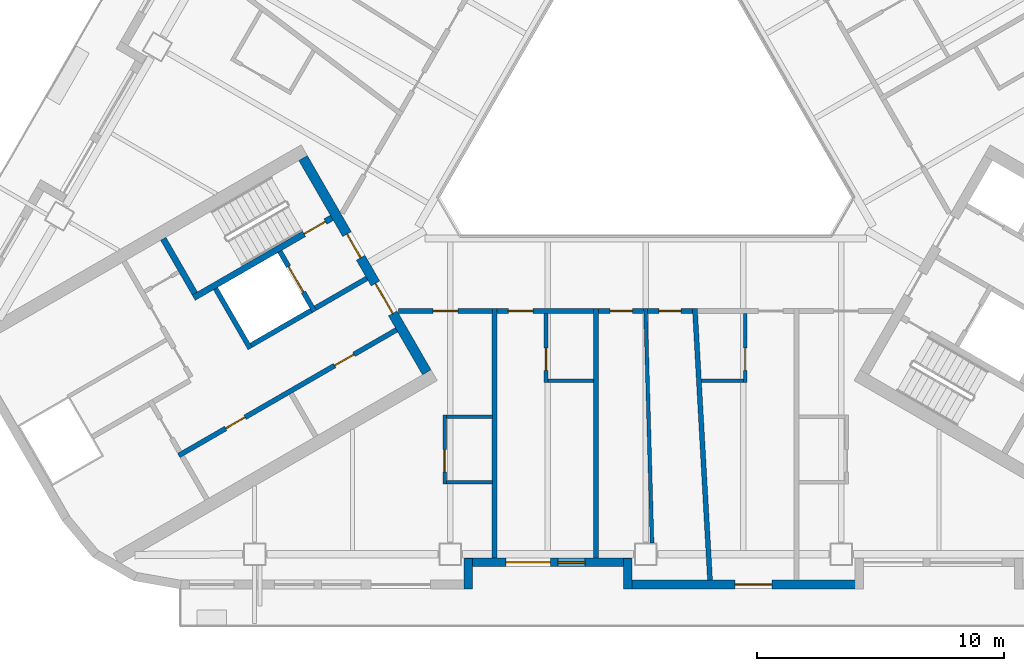
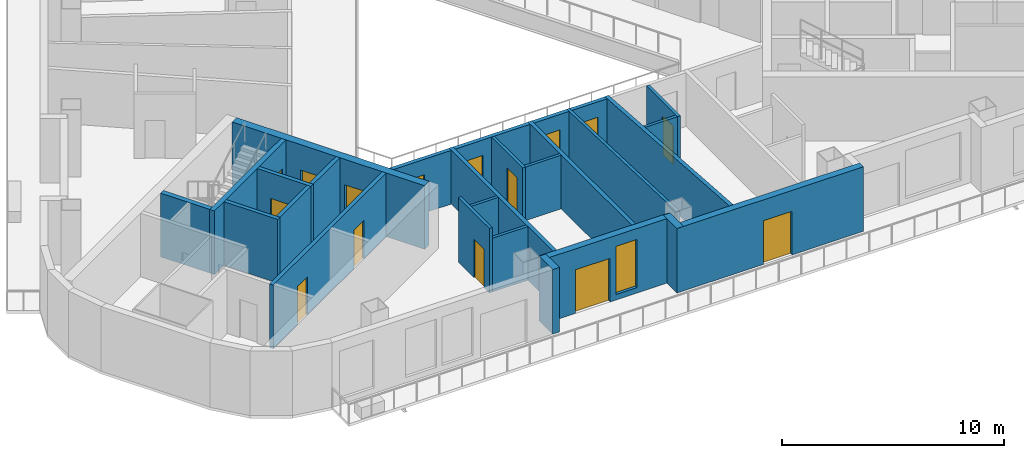
# One storey, part 3 of 14: 27 walls, 15 doors, 1 window, 16 openings.
"""IFC4 building model written with IfcOpenShell, lengths in metres."""

from ifc_helpers import new_model, si_unit, direction, frame, frame_2d, origin, place, context, subcontext, project, spatial, rectangle, extrude, material, layer, layer_set, type_object, element, fill, save


model = new_model("IFC4")

# Units and contexts
model_context = context("Model", 3, precision=1e-05, world=origin(), true_north=direction((0.0, 1.0)))
body_context = subcontext(model_context, "Body", "Model", "MODEL_VIEW")
ifc_project = project(units=[si_unit("LENGTHUNIT", "METRE"), si_unit("AREAUNIT", "SQUARE_METRE"), si_unit("VOLUMEUNIT", "CUBIC_METRE"), si_unit("PLANEANGLEUNIT", "RADIAN"), si_unit("MASSUNIT", "GRAM", prefix="KILO")], contexts=[model_context])

# Site, building, storey
site_placement = place(None, origin())
site = spatial("IfcSite", under=ifc_project, at=site_placement, CompositionType="ELEMENT")
building_placement = place(site_placement, origin())
building = spatial("IfcBuilding", under=site, at=building_placement, Name="Apuvela Tower Hotel", CompositionType="ELEMENT")
storey_placement = place(building_placement, frame((0.0, 0.0, 87.199951171875)))
storey = spatial("IfcBuildingStorey", under=building, at=storey_placement, Name="L19", CompositionType="ELEMENT", Elevation=87.199951171875)

# Wall, openings, doors
ifc_material_1 = material(Name="Concrete C50/60", Category="concrete")
ifc_layer_1 = layer(ifc_material_1, 0.39990234375)
ifc_layer_set_1 = layer_set([ifc_layer_1], Name="COR-WALL-CORE-400")
wall_type_1 = type_object("IfcWallType", Name="COR-WALL-CORE-400", PredefinedType="SHEAR", material=ifc_layer_set_1)
wall_1_placement = place(storey_placement, frame((-13.844970703125, -2.219970703125, 0.0), z_axis=(0.0, 0.0, 1.0), x_axis=(0.500004234368, -0.866022959057, 0.0)))
wall_1 = element("IfcWall", 1, at=wall_1_placement, inside=storey, type_object=wall_type_1, Name="Core wall SW", PredefinedType="SHEAR", context=body_context, shape_type="SweptSolid", body=[
    extrude(rectangle(XDim=10.0, YDim=0.39990234375, at=frame_2d((5.0, 0.0))), origin(), (0.0, 0.0, 1.0), 3.5),
])
opening_1_placement = place(wall_1_placement, frame((3.550048828125, 0.0, 0.0)))
opening_1 = element("IfcOpeningElement", 2, at=opening_1_placement, cuts=wall_1, Name="Opening W-FD", PredefinedType="OPENING", context=body_context, shape_type="SweptSolid", body=[
    extrude(rectangle(XDim=1.10009765625, YDim=2.10009765625, at=frame_2d((0.550048828125, 1.050048828125))), frame((0.0, 0.2099609375, 0.0), z_axis=(0.0, -1.0, 0.0), x_axis=(1.0, 0.0, 0.0)), (0.0, 0.0, 1.0), 0.419921875),
])
opening_2_placement = place(wall_1_placement, frame((5.85009765625, 0.0, 0.0)))
opening_2 = element("IfcOpeningElement", 3, at=opening_2_placement, cuts=wall_1, Name="Opening W-GD", PredefinedType="OPENING", context=body_context, shape_type="SweptSolid", body=[
    extrude(rectangle(XDim=1.39990234375, YDim=2.10009765625, at=frame_2d((0.699951171875, 1.050048828125))), frame((0.0, 0.2099609375, 0.0), z_axis=(0.0, -1.0, 0.0), x_axis=(1.0, 0.0, 0.0)), (0.0, 0.0, 1.0), 0.419921875),
])
ifc_material_2 = material(Name="Steel fire door, powder coated", Category="steel")
door_type_1 = type_object("IfcDoorType", Name="COR-FD-1100", OperationType="NOTDEFINED", PredefinedType="DOOR", material=ifc_material_2)
door_1_placement = place(opening_1_placement, frame((1.10009765625, 0.0, 0.0), z_axis=(0.0, 0.0, 1.0), x_axis=(-1.0, 0.0, 0.0)))
door_1 = element("IfcDoor", 4, at=door_1_placement, inside=storey, type_object=door_type_1, Name="Firefighting lobby door W-FD", OperationType="SINGLE_SWING_LEFT", OverallHeight=2.10009765625, OverallWidth=1.10009765625, PredefinedType="DOOR", context=body_context, shape_type="SweptSolid", body=[
    extrude(rectangle(XDim=1.10009765625, YDim=2.10009765625, at=frame_2d((0.550048828125, 1.050048828125))), frame((0.0, 0.02490234375, 0.0), z_axis=(0.0, -1.0, 0.0), x_axis=(1.0, 0.0, 0.0)), (0.0, 0.0, 1.0), 0.050048828125),
])
fill(opening_1, door_1)
ifc_material_3 = material(Name="Glazed steel fire door", Category="steel")
door_type_2 = type_object("IfcDoorType", Name="COR-GD-1400", OperationType="DOUBLE_DOOR_SINGLE_SWING", PredefinedType="DOOR", material=ifc_material_3)
door_2_placement = place(opening_2_placement, frame((1.39990234375, 0.0, 0.0), z_axis=(0.0, 0.0, 1.0), x_axis=(-1.0, 0.0, 0.0)))
door_2 = element("IfcDoor", 5, at=door_2_placement, inside=storey, type_object=door_type_2, Name="Lift lobby door W-GD", OperationType="DOUBLE_DOOR_SINGLE_SWING", OverallHeight=2.10009765625, OverallWidth=1.39990234375, PredefinedType="DOOR", context=body_context, shape_type="SweptSolid", body=[
    extrude(rectangle(XDim=1.39990234375, YDim=2.10009765625, at=frame_2d((0.699951171875, 1.050048828125))), frame((0.0, 0.02490234375, 0.0), z_axis=(0.0, -1.0, 0.0), x_axis=(1.0, 0.0, 0.0)), (0.0, 0.0, 1.0), 0.050048828125),
])
fill(opening_2, door_2)

# Wall
ifc_layer_2 = layer(ifc_material_1, 0.199951171875)
ifc_layer_set_2 = layer_set([ifc_layer_2], Name="COR-WALL-SHAFT-200")
wall_type_2 = type_object("IfcWallType", Name="COR-WALL-SHAFT-200", PredefinedType="SHEAR", material=ifc_layer_set_2)
wall_2_placement = place(storey_placement, frame((-17.38134765625, -7.49462890625, 0.0), z_axis=(0.0, 0.0, 1.0), x_axis=(0.500011755427, -0.866018616679, 0.0)))
element("IfcWall", 6, at=wall_2_placement, inside=storey, type_object=wall_type_2, Name="Shaft wall SW", PredefinedType="SHEAR", context=body_context, shape_type="SweptSolid", body=[
    extrude(rectangle(XDim=2.80029296875, YDim=0.199951171875, at=frame_2d((1.400146484375, 0.0))), origin(), (0.0, 0.0, 1.0), 3.5),
])

# Wall, opening, door
wall_3_placement = place(storey_placement, frame((-14.783203125, -5.99462890625, 0.0), z_axis=(0.0, 0.0, 1.0), x_axis=(0.49994636267, -0.866056369097, 0.0)))
wall_3 = element("IfcWall", 7, at=wall_3_placement, inside=storey, type_object=wall_type_2, Name="Shaft wall SW", PredefinedType="SHEAR", context=body_context, shape_type="SweptSolid", body=[
    extrude(rectangle(XDim=2.800048828125, YDim=0.199951171875, at=frame_2d((1.39990234375, 0.0))), origin(), (0.0, 0.0, 1.0), 3.5),
])
opening_3_placement = place(wall_3_placement, frame((0.699951171875, 0.0, 0.0)))
opening_3 = element("IfcOpeningElement", 8, at=opening_3_placement, cuts=wall_3, Name="Opening W-LD-FS2", PredefinedType="OPENING", context=body_context, shape_type="SweptSolid", body=[
    extrude(rectangle(XDim=1.199951171875, YDim=2.10009765625, at=frame_2d((0.60009765625, 1.050048828125))), frame((0.0, 0.10986328125, 0.0), z_axis=(0.0, -1.0, 0.0), x_axis=(1.0, 0.0, 0.0)), (0.0, 0.0, 1.0), 0.219970703125),
])
ifc_material_4 = material(Name="Stainless steel lift landing door", Category="steel")
door_type_3 = type_object("IfcDoorType", Name="COR-LD-1200", OperationType="DOUBLE_DOOR_SLIDING", PredefinedType="DOOR", material=ifc_material_4)
door_3_placement = place(opening_3_placement, origin())
door_3 = element("IfcDoor", 9, at=door_3_placement, inside=storey, type_object=door_type_3, Name="Lift landing door W-LD-FS2", OperationType="DOUBLE_DOOR_SLIDING", OverallHeight=2.10009765625, OverallWidth=1.199951171875, PredefinedType="DOOR", context=body_context, shape_type="SweptSolid", body=[
    extrude(rectangle(XDim=1.199951171875, YDim=2.10009765625, at=frame_2d((0.60009765625, 1.050048828125))), frame((0.0, 0.02490234375, 0.0), z_axis=(0.0, -1.0, 0.0), x_axis=(1.0, 0.0, 0.0)), (0.0, 0.0, 1.0), 0.050048828125),
])
fill(opening_3, door_3)

# Walls
wall_4_placement = place(storey_placement, frame((-13.519775390625, -8.383056640625, 0.0), z_axis=(0.0, 0.0, 1.0), x_axis=(-0.866034573852, -0.49998411664, 0.0)))
element("IfcWall", 10, at=wall_4_placement, inside=storey, type_object=wall_type_2, Name="Shaft wall SW", PredefinedType="SHEAR", context=body_context, shape_type="SweptSolid", body=[
    extrude(rectangle(XDim=2.7998046875, YDim=0.199951171875, at=frame_2d((1.39990234375, 0.0))), origin(), (0.0, 0.0, 1.0), 3.5),
])
wall_5_placement = place(storey_placement, frame((-11.26806640625, -7.0830078125, 0.0), z_axis=(0.0, 0.0, 1.0), x_axis=(-0.866050077142, -0.499957262057, 0.0)))
element("IfcWall", 11, at=wall_5_placement, inside=storey, type_object=wall_type_2, Name="Shaft wall SW", PredefinedType="SHEAR", context=body_context, shape_type="SweptSolid", body=[
    extrude(rectangle(XDim=2.400146484375, YDim=0.199951171875, at=frame_2d((1.2001953125, 0.0))), origin(), (0.0, 0.0, 1.0), 3.5),
])

# Wall, openings, doors
wall_6_placement = place(storey_placement, frame((-10.068115234375, -9.16162109375, 0.0), z_axis=(0.0, 0.0, 1.0), x_axis=(-0.866032725843, -0.499987317609, 0.0)))
wall_6 = element("IfcWall", 12, at=wall_6_placement, inside=storey, type_object=wall_type_2, Name="Shaft wall SW", PredefinedType="SHEAR", context=body_context, shape_type="SweptSolid", body=[
    extrude(rectangle(XDim=10.159912109375, YDim=0.199951171875, at=frame_2d((5.080078125, 0.0))), origin(), (0.0, 0.0, 1.0), 3.5),
])
opening_4_placement = place(wall_6_placement, frame((1.989990234375, 0.0, 0.0)))
opening_4 = element("IfcOpeningElement", 13, at=opening_4_placement, cuts=wall_6, Name="Opening W-RE1", PredefinedType="OPENING", context=body_context, shape_type="SweptSolid", body=[
    extrude(rectangle(XDim=0.89990234375, YDim=2.10009765625, at=frame_2d((0.449951171875, 1.050048828125))), frame((0.0, 0.10986328125, 0.0), z_axis=(0.0, -1.0, 0.0), x_axis=(1.0, 0.0, 0.0)), (0.0, 0.0, 1.0), 0.219970703125),
])
opening_5_placement = place(wall_6_placement, frame((7.070068359375, 0.0, 0.0)))
opening_5 = element("IfcOpeningElement", 14, at=opening_5_placement, cuts=wall_6, Name="Opening W-RE3", PredefinedType="OPENING", context=body_context, shape_type="SweptSolid", body=[
    extrude(rectangle(XDim=0.89990234375, YDim=2.10009765625, at=frame_2d((0.449951171875, 1.050048828125))), frame((0.0, 0.10986328125, 0.0), z_axis=(0.0, -1.0, 0.0), x_axis=(1.0, 0.0, 0.0)), (0.0, 0.0, 1.0), 0.219970703125),
])
door_type_4 = type_object("IfcDoorType", Name="COR-DR-900", OperationType="NOTDEFINED", PredefinedType="DOOR", material=ifc_material_2)
door_4_placement = place(opening_4_placement, origin())
door_4 = element("IfcDoor", 15, at=door_4_placement, inside=storey, type_object=door_type_4, Name="Store door W-RE1", OperationType="SINGLE_SWING_LEFT", OverallHeight=2.10009765625, OverallWidth=0.89990234375, PredefinedType="DOOR", context=body_context, shape_type="SweptSolid", body=[
    extrude(rectangle(XDim=0.89990234375, YDim=2.10009765625, at=frame_2d((0.449951171875, 1.050048828125))), frame((0.0, 0.02490234375, 0.0), z_axis=(0.0, -1.0, 0.0), x_axis=(1.0, 0.0, 0.0)), (0.0, 0.0, 1.0), 0.050048828125),
])
fill(opening_4, door_4)
door_5_placement = place(opening_5_placement, origin())
door_5 = element("IfcDoor", 16, at=door_5_placement, inside=storey, type_object=door_type_4, Name="Store door W-RE3", OperationType="SINGLE_SWING_LEFT", OverallHeight=2.10009765625, OverallWidth=0.89990234375, PredefinedType="DOOR", context=body_context, shape_type="SweptSolid", body=[
    extrude(rectangle(XDim=0.89990234375, YDim=2.10009765625, at=frame_2d((0.449951171875, 1.050048828125))), frame((0.0, 0.02490234375, 0.0), z_axis=(0.0, -1.0, 0.0), x_axis=(1.0, 0.0, 0.0)), (0.0, 0.0, 1.0), 0.050048828125),
])
fill(opening_5, door_5)

# Wall, opening, door
ifc_layer_3 = layer(ifc_material_1, 0.25)
ifc_layer_set_3 = layer_set([ifc_layer_3], Name="COR-WALL-STAIR-250")
wall_type_3 = type_object("IfcWallType", Name="COR-WALL-STAIR-250", PredefinedType="SHEAR", material=ifc_layer_set_3)
wall_7_placement = place(storey_placement, frame((-12.6806640625, -4.636474609375, 0.0), z_axis=(0.0, 0.0, 1.0), x_axis=(-0.866021702275, -0.500006411147, 0.0)))
wall_7 = element("IfcWall", 17, at=wall_7_placement, inside=storey, type_object=wall_type_3, Name="Stair wall SW", PredefinedType="SHEAR", context=body_context, shape_type="SweptSolid", body=[
    extrude(rectangle(XDim=6.4501953125, YDim=0.25, at=frame_2d((3.22509765625, 0.0))), origin(), (0.0, 0.0, 1.0), 3.5),
])
opening_6_placement = place(wall_7_placement, frame((0.300048828125, 0.0, 0.0)))
opening_6 = element("IfcOpeningElement", 18, at=opening_6_placement, cuts=wall_7, Name="Opening W-SD", PredefinedType="OPENING", context=body_context, shape_type="SweptSolid", body=[
    extrude(rectangle(XDim=1.0, YDim=2.10009765625, at=frame_2d((0.5, 1.050048828125))), frame((0.0, 0.135009765625, 0.0), z_axis=(0.0, -1.0, 0.0), x_axis=(1.0, 0.0, 0.0)), (0.0, 0.0, 1.0), 0.27001953125),
])
door_type_5 = type_object("IfcDoorType", Name="COR-SD-1000", OperationType="NOTDEFINED", PredefinedType="DOOR", material=ifc_material_2)
door_6_placement = place(opening_6_placement, frame((1.0, 0.0, 0.0), z_axis=(0.0, 0.0, 1.0), x_axis=(-1.0, 0.0, 0.0)))
door_6 = element("IfcDoor", 19, at=door_6_placement, inside=storey, type_object=door_type_5, Name="Stair door W-SD", OperationType="SINGLE_SWING_LEFT", OverallHeight=2.10009765625, OverallWidth=1.0, PredefinedType="DOOR", context=body_context, shape_type="SweptSolid", body=[
    extrude(rectangle(XDim=1.0, YDim=2.10009765625, at=frame_2d((0.5, 1.050048828125))), frame((0.0, 0.02490234375, 0.0), z_axis=(0.0, -1.0, 0.0), x_axis=(1.0, 0.0, 0.0)), (0.0, 0.0, 1.0), 0.050048828125),
])
fill(opening_6, door_6)

# Walls
wall_8_placement = place(storey_placement, frame((-19.49560546875, -5.482421875, 0.0), z_axis=(0.0, 0.0, 1.0), x_axis=(0.499990435942, -0.866030925526, 0.0)))
element("IfcWall", 20, at=wall_8_placement, inside=storey, type_object=wall_type_3, Name="Stair wall SW", PredefinedType="SHEAR", context=body_context, shape_type="SweptSolid", body=[
    extrude(rectangle(XDim=2.5498046875, YDim=0.25, at=frame_2d((1.27490234375, 0.0))), origin(), (0.0, 0.0, 1.0), 3.5),
])
ifc_material_5 = material(Name="Concrete C40/50, dark pigmented precast panel", Category="concrete")
ifc_layer_4 = layer(ifc_material_5, 0.35009765625)
ifc_layer_set_4 = layer_set([ifc_layer_4], Name="ENV-WALL-350")
wall_type_4 = type_object("IfcWallType", Name="ENV-WALL-350", PredefinedType="SOLIDWALL", material=ifc_layer_set_4)
wall_9_placement = place(storey_placement, frame((-7.175048828125, -19.6298828125, 0.0), z_axis=(0.0, 0.0, 1.0), x_axis=(0.0, 1.0, 0.0)))
element("IfcWall", 21, at=wall_9_placement, inside=storey, type_object=wall_type_4, Name="External wall L19-18", PredefinedType="SOLIDWALL", context=body_context, shape_type="SweptSolid", body=[
    extrude(rectangle(XDim=1.219970703125, YDim=0.35009765625, at=frame_2d((0.60986328125, 0.0))), origin(), (0.0, 0.0, 1.0), 3.550048828125),
])

# Wall, openings, door, window
wall_10_placement = place(storey_placement, frame((-7.320068359375, -18.554931640625, 0.0), z_axis=(0.0, 0.0, 1.0), x_axis=(1.0, 0.0, 0.0)))
wall_10 = element("IfcWall", 22, at=wall_10_placement, inside=storey, type_object=wall_type_4, Name="External wall L19-19", PredefinedType="SOLIDWALL", context=body_context, shape_type="SweptSolid", body=[
    extrude(rectangle(XDim=6.739990234375, YDim=0.35009765625, at=frame_2d((3.3701171875, 0.0))), origin(), (0.0, 0.0, 1.0), 3.550048828125),
])
opening_7_placement = place(wall_10_placement, frame((1.669921875, 0.0, 0.0)))
opening_7 = element("IfcOpeningElement", 23, at=opening_7_placement, cuts=wall_10, Name="Opening BD18", PredefinedType="OPENING", context=body_context, shape_type="SweptSolid", body=[
    extrude(rectangle(XDim=1.800048828125, YDim=2.39990234375, at=frame_2d((0.89990234375, 1.199951171875))), frame((0.0, 0.18505859375, 0.0), z_axis=(0.0, -1.0, 0.0), x_axis=(1.0, 0.0, 0.0)), (0.0, 0.0, 1.0), 0.3701171875),
])
opening_8_placement = place(wall_10_placement, frame((3.77001953125, 0.0, 0.300048828125)))
opening_8 = element("IfcOpeningElement", 24, at=opening_8_placement, cuts=wall_10, Name="Opening WN11", PredefinedType="OPENING", context=body_context, shape_type="SweptSolid", body=[
    extrude(rectangle(XDim=1.10009765625, YDim=2.64990234375, at=frame_2d((0.550048828125, 1.324951171875))), frame((0.0, 0.18505859375, 0.0), z_axis=(0.0, -1.0, 0.0), x_axis=(1.0, 0.0, 0.0)), (0.0, 0.0, 1.0), 0.3701171875),
])
ifc_material_6 = material(Name="Aluminium 6063-T6, dark bronze anodised frame with dark tinted laminated glass", Category="aluminium")
door_type_6 = type_object("IfcDoorType", Name="ENV-DOOR-BALCONY-1800x2400", OperationType="SLIDING_TO_LEFT", PredefinedType="DOOR", material=ifc_material_6)
door_7_placement = place(opening_7_placement, frame((1.800048828125, 0.0, 0.0), z_axis=(0.0, 0.0, 1.0), x_axis=(-1.0, 0.0, 0.0)))
door_7 = element("IfcDoor", 25, at=door_7_placement, inside=storey, type_object=door_type_6, Name="Balcony door BD18", OperationType="SLIDING_TO_LEFT", OverallHeight=2.39990234375, OverallWidth=1.800048828125, PredefinedType="DOOR", context=body_context, shape_type="SweptSolid", body=[
    extrude(rectangle(XDim=1.800048828125, YDim=2.39990234375, at=frame_2d((0.89990234375, 1.199951171875))), frame((0.0, 0.02490234375, 0.0), z_axis=(0.0, -1.0, 0.0), x_axis=(1.0, 0.0, 0.0)), (0.0, 0.0, 1.0), 0.050048828125),
])
fill(opening_7, door_7)
ifc_material_7 = material(Name="Glass, dark tinted laminated insulated glazing unit", Category="glass")
window_type = type_object("IfcWindowType", Name="ENV-WIN-1100x2650", PartitioningType="SINGLE_PANEL", PredefinedType="WINDOW", material=ifc_material_7)
window_placement = place(opening_8_placement, origin())
window = element("IfcWindow", 26, at=window_placement, inside=storey, type_object=window_type, Name="Window WN11", OverallHeight=2.64990234375, OverallWidth=1.10009765625, PartitioningType="SINGLE_PANEL", PredefinedType="WINDOW", context=body_context, shape_type="SweptSolid", body=[
    extrude(rectangle(XDim=1.10009765625, YDim=2.64990234375, at=frame_2d((0.550048828125, 1.324951171875))), frame((0.0, 0.030029296875, 0.0), z_axis=(0.0, -1.0, 0.0), x_axis=(1.0, 0.0, 0.0)), (0.0, 0.0, 1.0), 0.06005859375),
])
fill(opening_8, window)

# Wall
wall_11_placement = place(storey_placement, frame((-0.72509765625, -18.409912109375, 0.0), z_axis=(0.0, 0.0, 1.0), x_axis=(0.0, -1.0, 0.0)))
element("IfcWall", 27, at=wall_11_placement, inside=storey, type_object=wall_type_4, Name="External wall L19-20", PredefinedType="SOLIDWALL", context=body_context, shape_type="SweptSolid", body=[
    extrude(rectangle(XDim=1.219970703125, YDim=0.35009765625, at=frame_2d((0.60986328125, 0.0))), origin(), (0.0, 0.0, 1.0), 3.550048828125),
])

# Wall, opening, door
wall_12_placement = place(storey_placement, frame((-0.89990234375, -19.455078125, 0.0), z_axis=(0.0, 0.0, 1.0), x_axis=(1.0, 0.0, 0.0)))
wall_12 = element("IfcWall", 28, at=wall_12_placement, inside=storey, type_object=wall_type_4, Name="External wall L19-21", PredefinedType="SOLIDWALL", context=body_context, shape_type="SweptSolid", body=[
    extrude(rectangle(XDim=9.699951171875, YDim=0.35009765625, at=frame_2d((4.85009765625, 0.0))), origin(), (0.0, 0.0, 1.0), 3.550048828125),
])
opening_9_placement = place(wall_12_placement, frame((4.5, 0.0, 0.0)))
opening_9 = element("IfcOpeningElement", 29, at=opening_9_placement, cuts=wall_12, Name="Opening BD15", PredefinedType="OPENING", context=body_context, shape_type="SweptSolid", body=[
    extrude(rectangle(XDim=1.5, YDim=2.39990234375, at=frame_2d((0.75, 1.199951171875))), frame((0.0, 0.18505859375, 0.0), z_axis=(0.0, -1.0, 0.0), x_axis=(1.0, 0.0, 0.0)), (0.0, 0.0, 1.0), 0.3701171875),
])
door_type_7 = type_object("IfcDoorType", Name="ENV-DOOR-BALCONY-1500x2400", OperationType="SLIDING_TO_LEFT", PredefinedType="DOOR", material=ifc_material_6)
door_8_placement = place(opening_9_placement, frame((1.5, 0.0, 0.0), z_axis=(0.0, 0.0, 1.0), x_axis=(-1.0, 0.0, 0.0)))
door_8 = element("IfcDoor", 30, at=door_8_placement, inside=storey, type_object=door_type_7, Name="Balcony door BD15", OperationType="SLIDING_TO_LEFT", OverallHeight=2.39990234375, OverallWidth=1.5, PredefinedType="DOOR", context=body_context, shape_type="SweptSolid", body=[
    extrude(rectangle(XDim=1.5, YDim=2.39990234375, at=frame_2d((0.75, 1.199951171875))), frame((0.0, 0.02490234375, 0.0), z_axis=(0.0, -1.0, 0.0), x_axis=(1.0, 0.0, 0.0)), (0.0, 0.0, 1.0), 0.050048828125),
])
fill(opening_9, door_8)

# Walls
ifc_material_8 = material(Name="Gypsum board partition on twin steel stud", Category="steel")
ifc_layer_5 = layer(ifc_material_8, 0.199951171875)
ifc_layer_set_5 = layer_set([ifc_layer_5], Name="GST-PW1")
wall_type_5 = type_object("IfcWallType", Name="GST-PW1", PredefinedType="PARTITIONING", material=ifc_layer_set_5)
for number, where, z_axis, x_axis, name in (
    (31, (-6.10009765625, -18.3798828125, 0.0), (0.0, 0.0, 1.0), (0.0, 1.0, 0.0), "L19 partition 01"),
    (32, (-2.0, -18.3798828125, 0.0), (0.0, 0.0, 1.0), (0.0, 1.0, 0.0), "L19 partition 02"),
):
    element("IfcWall", number, at=place(storey_placement, frame(where, z_axis=z_axis, x_axis=x_axis)), inside=storey, type_object=wall_type_5, Name=name, PredefinedType="PARTITIONING", context=body_context, shape_type="SweptSolid", body=[
        extrude(rectangle(XDim=10.079833984375, YDim=0.199951171875, at=frame_2d((5.0400390625, 0.0))), origin(), (0.0, 0.0, 1.0), 2.9599609375),
    ])
wall_13_placement = place(storey_placement, frame((2.60009765625, -19.280029296875, 0.0), z_axis=(0.0, 0.0, 1.0), x_axis=(-0.055568385591, 0.998454883569, 0.0)))
element("IfcWall", 33, at=wall_13_placement, inside=storey, type_object=wall_type_5, Name="L19 partition 03", PredefinedType="PARTITIONING", context=body_context, shape_type="SweptSolid", body=[
    extrude(rectangle(XDim=10.9970703125, YDim=0.199951171875, at=frame_2d((5.49853515625, 0.0))), origin(), (0.0, 0.0, 1.0), 2.9599609375),
])

# Wall, opening, door
ifc_material_9 = material(Name="Gypsum board corridor wall on twin steel stud, acoustic", Category="steel")
ifc_layer_6 = layer(ifc_material_9, 0.199951171875)
ifc_layer_set_6 = layer_set([ifc_layer_6], Name="GST-PW2")
wall_type_6 = type_object("IfcWallType", Name="GST-PW2", PredefinedType="PARTITIONING", material=ifc_layer_set_6)
wall_14_placement = place(storey_placement, frame((-6.199951171875, -8.39990234375, 0.0), z_axis=(0.0, 0.0, 1.0), x_axis=(-1.0, 0.0, 0.0)))
wall_14 = element("IfcWall", 34, at=wall_14_placement, inside=storey, type_object=wall_type_6, Name="L19 partition 11", PredefinedType="PARTITIONING", context=body_context, shape_type="SweptSolid", body=[
    extrude(rectangle(XDim=3.788330078125, YDim=0.199951171875, at=frame_2d((1.89404296875, 0.0))), origin(), (0.0, 0.0, 1.0), 2.949951171875),
])
opening_10_placement = place(wall_14_placement, frame((1.39404296875, 0.0, 0.0)))
opening_10 = element("IfcOpeningElement", 35, at=opening_10_placement, cuts=wall_14, Name="Opening GD06-02", PredefinedType="OPENING", context=body_context, shape_type="SweptSolid", body=[
    extrude(rectangle(XDim=1.0, YDim=2.10009765625, at=frame_2d((0.5, 1.050048828125))), frame((0.0, 0.10986328125, 0.0), z_axis=(0.0, -1.0, 0.0), x_axis=(1.0, 0.0, 0.0)), (0.0, 0.0, 1.0), 0.219970703125),
])
ifc_material_10 = material(Name="Timber door leaf in steel frame", Category="steel")
door_type_8 = type_object("IfcDoorType", Name="GST-D1", OperationType="NOTDEFINED", PredefinedType="DOOR", material=ifc_material_10)
door_9_placement = place(opening_10_placement, origin())
door_9 = element("IfcDoor", 36, at=door_9_placement, inside=storey, type_object=door_type_8, Name="Door L19-02", OperationType="SINGLE_SWING_LEFT", OverallHeight=2.10009765625, OverallWidth=1.0, PredefinedType="DOOR", context=body_context, shape_type="SweptSolid", body=[
    extrude(rectangle(XDim=1.0, YDim=2.10009765625, at=frame_2d((0.5, 1.050048828125))), frame((0.0, 0.02490234375, 0.0), z_axis=(0.0, -1.0, 0.0), x_axis=(1.0, 0.0, 0.0)), (0.0, 0.0, 1.0), 0.050048828125),
])
fill(opening_10, door_9)

wall_15_placement = place(storey_placement, frame((-2.10009765625, -8.39990234375, 0.0), z_axis=(0.0, 0.0, 1.0), x_axis=(-1.0, 0.0, 0.0)))
wall_15 = element("IfcWall", 37, at=wall_15_placement, inside=storey, type_object=wall_type_6, Name="L19 partition 15", PredefinedType="PARTITIONING", context=body_context, shape_type="SweptSolid", body=[
    extrude(rectangle(XDim=3.89990234375, YDim=0.199951171875, at=frame_2d((1.949951171875, 0.0))), origin(), (0.0, 0.0, 1.0), 2.949951171875),
])
opening_11_placement = place(wall_15_placement, frame((2.449951171875, 0.0, 0.0)))
opening_11 = element("IfcOpeningElement", 38, at=opening_11_placement, cuts=wall_15, Name="Opening GD06-04", PredefinedType="OPENING", context=body_context, shape_type="SweptSolid", body=[
    extrude(rectangle(XDim=1.0, YDim=2.10009765625, at=frame_2d((0.5, 1.050048828125))), frame((0.0, 0.10986328125, 0.0), z_axis=(0.0, -1.0, 0.0), x_axis=(1.0, 0.0, 0.0)), (0.0, 0.0, 1.0), 0.219970703125),
])
door_10_placement = place(opening_11_placement, origin())
door_10 = element("IfcDoor", 39, at=door_10_placement, inside=storey, type_object=door_type_8, Name="Door L19-04", OperationType="SINGLE_SWING_RIGHT", OverallHeight=2.10009765625, OverallWidth=1.0, PredefinedType="DOOR", context=body_context, shape_type="SweptSolid", body=[
    extrude(rectangle(XDim=1.0, YDim=2.10009765625, at=frame_2d((0.5, 1.050048828125))), frame((0.0, 0.02490234375, 0.0), z_axis=(0.0, -1.0, 0.0), x_axis=(1.0, 0.0, 0.0)), (0.0, 0.0, 1.0), 0.050048828125),
])
fill(opening_11, door_10)

wall_16_placement = place(storey_placement, frame((-0.077880859375, -8.39990234375, 0.0), z_axis=(0.0, 0.0, 1.0), x_axis=(-1.0, 0.0, 0.0)))
wall_16 = element("IfcWall", 40, at=wall_16_placement, inside=storey, type_object=wall_type_6, Name="L19 partition 19", PredefinedType="PARTITIONING", context=body_context, shape_type="SweptSolid", body=[
    extrude(rectangle(XDim=1.822021484375, YDim=0.199951171875, at=frame_2d((0.9111328125, 0.0))), origin(), (0.0, 0.0, 1.0), 2.949951171875),
])
opening_12_placement = place(wall_16_placement, frame((0.461181640625, 0.0, 0.0)))
opening_12 = element("IfcOpeningElement", 41, at=opening_12_placement, cuts=wall_16, Name="Opening GD06-05", PredefinedType="OPENING", context=body_context, shape_type="SweptSolid", body=[
    extrude(rectangle(XDim=0.89990234375, YDim=2.10009765625, at=frame_2d((0.449951171875, 1.050048828125))), frame((0.0, 0.10986328125, 0.0), z_axis=(0.0, -1.0, 0.0), x_axis=(1.0, 0.0, 0.0)), (0.0, 0.0, 1.0), 0.219970703125),
])
door_type_9 = type_object("IfcDoorType", Name="GST-D2", OperationType="NOTDEFINED", PredefinedType="DOOR", material=ifc_material_10)
door_11_placement = place(opening_12_placement, origin())
door_11 = element("IfcDoor", 42, at=door_11_placement, inside=storey, type_object=door_type_9, Name="Door L19-05", OperationType="SINGLE_SWING_LEFT", OverallHeight=2.10009765625, OverallWidth=0.89990234375, PredefinedType="DOOR", context=body_context, shape_type="SweptSolid", body=[
    extrude(rectangle(XDim=0.89990234375, YDim=2.10009765625, at=frame_2d((0.449951171875, 1.050048828125))), frame((0.0, 0.02490234375, 0.0), z_axis=(0.0, -1.0, 0.0), x_axis=(1.0, 0.0, 0.0)), (0.0, 0.0, 1.0), 0.050048828125),
])
fill(opening_12, door_11)

wall_17_placement = place(storey_placement, frame((1.894287109375, -8.39990234375, 0.0), z_axis=(0.0, 0.0, 1.0), x_axis=(-1.0, 0.0, 0.0)))
wall_17 = element("IfcWall", 43, at=wall_17_placement, inside=storey, type_object=wall_type_6, Name="L19 partition 20", PredefinedType="PARTITIONING", context=body_context, shape_type="SweptSolid", body=[
    extrude(rectangle(XDim=1.822021484375, YDim=0.199951171875, at=frame_2d((0.9111328125, 0.0))), origin(), (0.0, 0.0, 1.0), 2.949951171875),
])
opening_13_placement = place(wall_17_placement, frame((0.461181640625, 0.0, 0.0)))
opening_13 = element("IfcOpeningElement", 44, at=opening_13_placement, cuts=wall_17, Name="Opening GD06-06", PredefinedType="OPENING", context=body_context, shape_type="SweptSolid", body=[
    extrude(rectangle(XDim=0.89990234375, YDim=2.10009765625, at=frame_2d((0.449951171875, 1.050048828125))), frame((0.0, 0.10986328125, 0.0), z_axis=(0.0, -1.0, 0.0), x_axis=(1.0, 0.0, 0.0)), (0.0, 0.0, 1.0), 0.219970703125),
])
door_12_placement = place(opening_13_placement, origin())
door_12 = element("IfcDoor", 45, at=door_12_placement, inside=storey, type_object=door_type_9, Name="Door L19-06", OperationType="SINGLE_SWING_RIGHT", OverallHeight=2.10009765625, OverallWidth=0.89990234375, PredefinedType="DOOR", context=body_context, shape_type="SweptSolid", body=[
    extrude(rectangle(XDim=0.89990234375, YDim=2.10009765625, at=frame_2d((0.449951171875, 1.050048828125))), frame((0.0, 0.02490234375, 0.0), z_axis=(0.0, -1.0, 0.0), x_axis=(1.0, 0.0, 0.0)), (0.0, 0.0, 1.0), 0.050048828125),
])
fill(opening_13, door_12)

ifc_material_11 = material(Name="Moisture-resistant gypsum board wet wall on steel stud", Category="steel")
ifc_layer_7 = layer(ifc_material_11, 0.14990234375)
ifc_layer_set_7 = layer_set([ifc_layer_7], Name="GST-PW3")
wall_type_7 = type_object("IfcWallType", Name="GST-PW3", PredefinedType="PARTITIONING", material=ifc_layer_set_7)
wall_18_placement = place(storey_placement, frame((-8.125, -12.60009765625, 0.0), z_axis=(0.0, 0.0, 1.0), x_axis=(0.0, -1.0, 0.0)))
wall_18 = element("IfcWall", 46, at=wall_18_placement, inside=storey, type_object=wall_type_7, Name="L19 partition 12", PredefinedType="PARTITIONING", context=body_context, shape_type="SweptSolid", body=[
    extrude(rectangle(XDim=2.7998046875, YDim=0.14990234375, at=frame_2d((1.39990234375, 0.0))), origin(), (0.0, 0.0, 1.0), 3.550048828125),
])
opening_14_placement = place(wall_18_placement, frame((1.39990234375, 0.0, 0.0)))
opening_14 = element("IfcOpeningElement", 47, at=opening_14_placement, cuts=wall_18, Name="Opening GD06-01", PredefinedType="OPENING", context=body_context, shape_type="SweptSolid", body=[
    extrude(rectangle(XDim=0.89990234375, YDim=2.10009765625, at=frame_2d((0.449951171875, 1.050048828125))), frame((0.0, 0.0849609375, 0.0), z_axis=(0.0, -1.0, 0.0), x_axis=(1.0, 0.0, 0.0)), (0.0, 0.0, 1.0), 0.169921875),
])
door_13_placement = place(opening_14_placement, origin())
door_13 = element("IfcDoor", 48, at=door_13_placement, inside=storey, type_object=door_type_9, Name="Door L19-01", OperationType="SINGLE_SWING_RIGHT", OverallHeight=2.10009765625, OverallWidth=0.89990234375, PredefinedType="DOOR", context=body_context, shape_type="SweptSolid", body=[
    extrude(rectangle(XDim=0.89990234375, YDim=2.10009765625, at=frame_2d((0.449951171875, 1.050048828125))), frame((0.0, 0.02490234375, 0.0), z_axis=(0.0, -1.0, 0.0), x_axis=(1.0, 0.0, 0.0)), (0.0, 0.0, 1.0), 0.050048828125),
])
fill(opening_14, door_13)

# Walls
for number, where, z_axis, x_axis, name in (
    (49, (-8.050048828125, -15.324951171875, 0.0), (0.0, 0.0, 1.0), (1.0, 0.0, 0.0), "L19 partition 13"),
    (50, (-8.050048828125, -12.675048828125, 0.0), (0.0, 0.0, 1.0), (1.0, 0.0, 0.0), "L19 partition 14"),
):
    element("IfcWall", number, at=place(storey_placement, frame(where, z_axis=z_axis, x_axis=x_axis)), inside=storey, type_object=wall_type_7, Name=name, PredefinedType="PARTITIONING", context=body_context, shape_type="SweptSolid", body=[
        extrude(rectangle(XDim=1.85009765625, YDim=0.14990234375, at=frame_2d((0.925048828125, 0.0))), origin(), (0.0, 0.0, 1.0), 2.949951171875),
    ])

# Wall, opening, door
wall_19_placement = place(storey_placement, frame((-4.02490234375, -8.5, 0.0), z_axis=(0.0, 0.0, 1.0), x_axis=(0.0, -1.0, 0.0)))
wall_19 = element("IfcWall", 51, at=wall_19_placement, inside=storey, type_object=wall_type_7, Name="L19 partition 16", PredefinedType="PARTITIONING", context=body_context, shape_type="SweptSolid", body=[
    extrude(rectangle(XDim=2.800048828125, YDim=0.14990234375, at=frame_2d((1.39990234375, 0.0))), origin(), (0.0, 0.0, 1.0), 2.949951171875),
])
opening_15_placement = place(wall_19_placement, frame((1.39990234375, 0.0, 0.0)))
opening_15 = element("IfcOpeningElement", 52, at=opening_15_placement, cuts=wall_19, Name="Opening GD06-03", PredefinedType="OPENING", context=body_context, shape_type="SweptSolid", body=[
    extrude(rectangle(XDim=0.89990234375, YDim=2.10009765625, at=frame_2d((0.449951171875, 1.050048828125))), frame((0.0, 0.0849609375, 0.0), z_axis=(0.0, -1.0, 0.0), x_axis=(1.0, 0.0, 0.0)), (0.0, 0.0, 1.0), 0.169921875),
])
door_14_placement = place(opening_15_placement, origin())
door_14 = element("IfcDoor", 53, at=door_14_placement, inside=storey, type_object=door_type_9, Name="Door L19-03", OperationType="SINGLE_SWING_RIGHT", OverallHeight=2.10009765625, OverallWidth=0.89990234375, PredefinedType="DOOR", context=body_context, shape_type="SweptSolid", body=[
    extrude(rectangle(XDim=0.89990234375, YDim=2.10009765625, at=frame_2d((0.449951171875, 1.050048828125))), frame((0.0, 0.02490234375, 0.0), z_axis=(0.0, -1.0, 0.0), x_axis=(1.0, 0.0, 0.0)), (0.0, 0.0, 1.0), 0.050048828125),
])
fill(opening_15, door_14)

# Walls
wall_20_placement = place(storey_placement, frame((-3.949951171875, -11.22509765625, 0.0), z_axis=(0.0, 0.0, 1.0), x_axis=(1.0, 0.0, 0.0)))
element("IfcWall", 54, at=wall_20_placement, inside=storey, type_object=wall_type_7, Name="L19 partition 17", PredefinedType="PARTITIONING", context=body_context, shape_type="SweptSolid", body=[
    extrude(rectangle(XDim=1.849853515625, YDim=0.14990234375, at=frame_2d((0.9248046875, 0.0))), origin(), (0.0, 0.0, 1.0), 2.949951171875),
])
wall_21_placement = place(storey_placement, frame((0.25830078125, -17.780029296875, 0.0), z_axis=(0.0, 0.0, 1.0), x_axis=(-0.027828517679, 0.999612711806, 0.0)))
element("IfcWall", 55, at=wall_21_placement, inside=storey, type_object=wall_type_7, Name="L19 partition 18", PredefinedType="PARTITIONING", context=body_context, shape_type="SweptSolid", body=[
    extrude(rectangle(XDim=9.483642578125, YDim=0.14990234375, at=frame_2d((4.74169921875, 0.0))), origin(), (0.0, 0.0, 1.0), 2.949951171875),
])

# Wall, opening, door
wall_22_placement = place(storey_placement, frame((4.025146484375, -11.300048828125, 0.0), z_axis=(0.0, 0.0, 1.0), x_axis=(0.0, 1.0, 0.0)))
wall_22 = element("IfcWall", 56, at=wall_22_placement, inside=storey, type_object=wall_type_7, Name="L19 partition 22", PredefinedType="PARTITIONING", context=body_context, shape_type="SweptSolid", body=[
    extrude(rectangle(XDim=2.800048828125, YDim=0.14990234375, at=frame_2d((1.39990234375, 0.0))), origin(), (0.0, 0.0, 1.0), 2.949951171875),
])
opening_16_placement = place(wall_22_placement, frame((0.5, 0.0, 0.0)))
opening_16 = element("IfcOpeningElement", 57, at=opening_16_placement, cuts=wall_22, Name="Opening GD06-07", PredefinedType="OPENING", context=body_context, shape_type="SweptSolid", body=[
    extrude(rectangle(XDim=0.89990234375, YDim=2.10009765625, at=frame_2d((0.449951171875, 1.050048828125))), frame((0.0, 0.0849609375, 0.0), z_axis=(0.0, -1.0, 0.0), x_axis=(1.0, 0.0, 0.0)), (0.0, 0.0, 1.0), 0.169921875),
])
door_15_placement = place(opening_16_placement, origin())
door_15 = element("IfcDoor", 58, at=door_15_placement, inside=storey, type_object=door_type_9, Name="Door L19-07", OperationType="SINGLE_SWING_LEFT", OverallHeight=2.10009765625, OverallWidth=0.89990234375, PredefinedType="DOOR", context=body_context, shape_type="SweptSolid", body=[
    extrude(rectangle(XDim=0.89990234375, YDim=2.10009765625, at=frame_2d((0.449951171875, 1.050048828125))), frame((0.0, 0.02490234375, 0.0), z_axis=(0.0, -1.0, 0.0), x_axis=(1.0, 0.0, 0.0)), (0.0, 0.0, 1.0), 0.050048828125),
])
fill(opening_16, door_15)

# Wall
wall_23_placement = place(storey_placement, frame((2.251708984375, -11.22509765625, 0.0), z_axis=(0.0, 0.0, 1.0), x_axis=(1.0, 0.0, 0.0)))
element("IfcWall", 59, at=wall_23_placement, inside=storey, type_object=wall_type_7, Name="L19 partition 23", PredefinedType="PARTITIONING", context=body_context, shape_type="SweptSolid", body=[
    extrude(rectangle(XDim=1.698486328125, YDim=0.14990234375, at=frame_2d((0.84912109375, 0.0))), origin(), (0.0, 0.0, 1.0), 2.949951171875),
])

save(model, "model.ifc")
